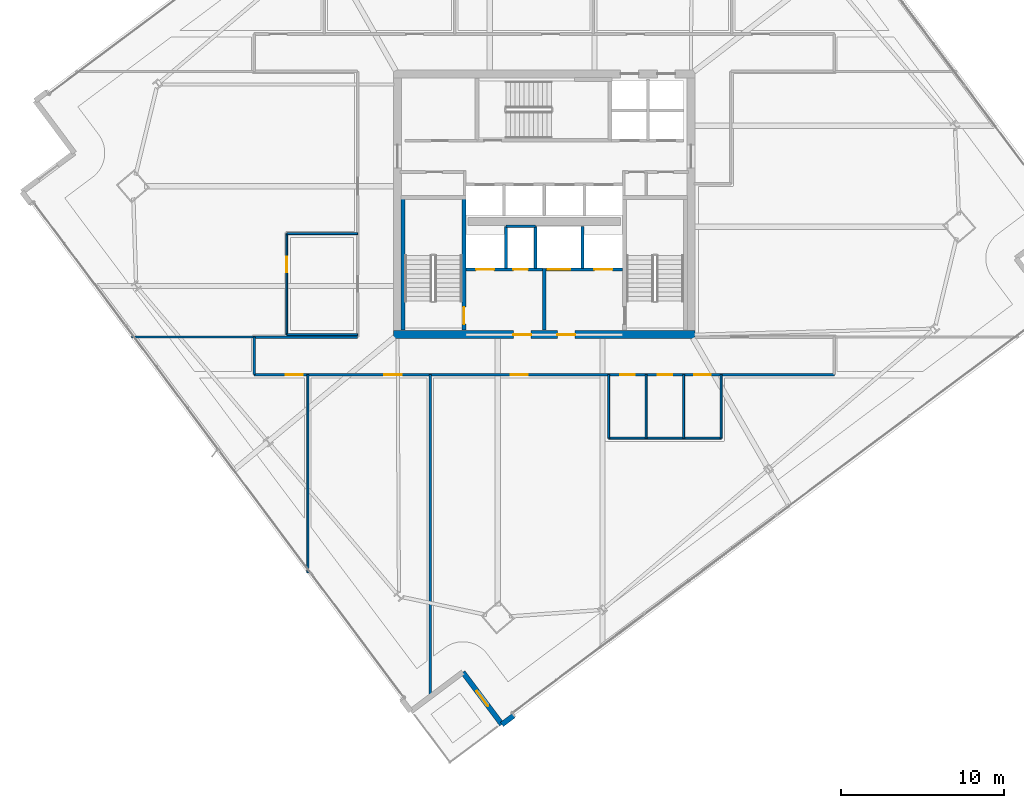
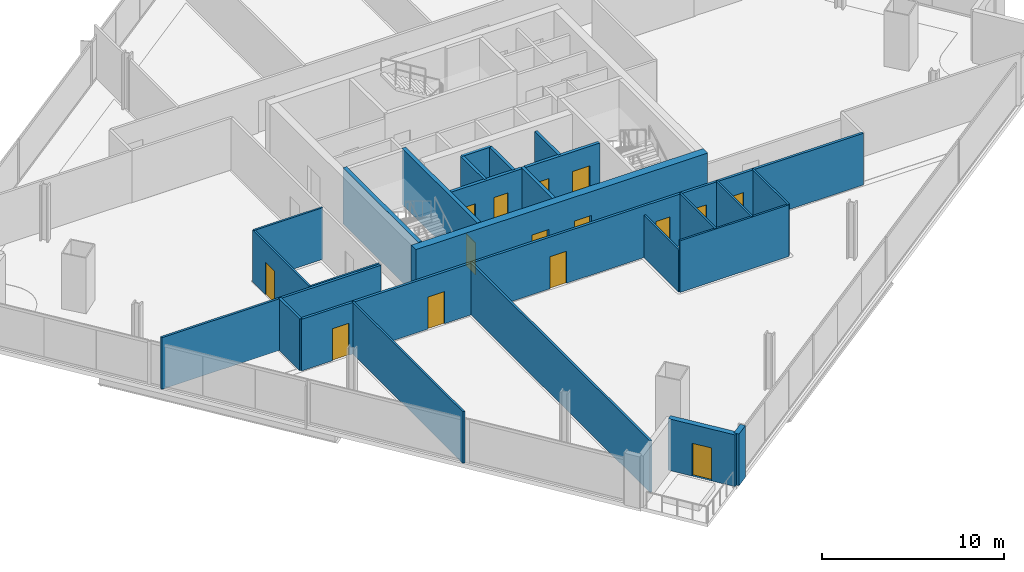
# One storey, part 24 of 32: 26 walls, 15 doors, 15 openings.
"""IFC4 building model written with IfcOpenShell, lengths in metres."""

from ifc_helpers import new_model, si_unit, direction, frame, frame_2d, origin, place, context, subcontext, project, spatial, rectangle, extrude, material, layer, layer_set, type_object, element, fill, save


model = new_model("IFC4")

# Units and contexts
model_context = context("Model", 3, precision=1e-05, world=origin(), true_north=direction((0.0, 1.0)))
body_context = subcontext(model_context, "Body", "Model", "MODEL_VIEW")
ifc_project = project(units=[si_unit("LENGTHUNIT", "METRE"), si_unit("AREAUNIT", "SQUARE_METRE"), si_unit("VOLUMEUNIT", "CUBIC_METRE"), si_unit("PLANEANGLEUNIT", "RADIAN"), si_unit("MASSUNIT", "GRAM", prefix="KILO")], contexts=[model_context])

# Site, building, storey
site_placement = place(None, origin())
site = spatial("IfcSite", under=ifc_project, at=site_placement, CompositionType="ELEMENT")
building_placement = place(site_placement, origin())
building = spatial("IfcBuilding", under=site, at=building_placement, Name="Haldenkirk Collegiate Tower", CompositionType="ELEMENT")
storey_placement = place(building_placement, frame((0.0, 0.0, 151.949951171875)))
storey = spatial("IfcBuildingStorey", under=building, at=storey_placement, Name="L37", CompositionType="ELEMENT", Elevation=151.949951171875)

# Wall, openings, doors
ifc_material_1 = material(Name="Concrete f'c 55 MPa", Category="concrete")
ifc_layer_1 = layer(ifc_material_1, 0.5)
ifc_layer_set_1 = layer_set([ifc_layer_1], Name="Concrete f'c 55 MPa")
wall_type_1 = type_object("IfcWallType", Name="WL-CORE-500", PredefinedType="SHEAR", material=ifc_layer_set_1)
wall_1_placement = place(storey_placement, frame((26.75, 18.0, 0.0), z_axis=(0.0, 0.0, 1.0), x_axis=(1.0, 0.0, 0.0)))
wall_1 = element("IfcWall", 1, at=wall_1_placement, inside=storey, type_object=wall_type_1, Name="L37 central core shear wall S", PredefinedType="SHEAR", context=body_context, shape_type="SweptSolid", body=[
    extrude(rectangle(XDim=18.5, YDim=0.5, at=frame_2d((9.25, 0.0))), origin(), (0.0, 0.0, 1.0), 3.75),
])
opening_1_placement = place(wall_1_placement, frame((7.35009765625, 0.0, 0.0)))
opening_1 = element("IfcOpeningElement", 2, at=opening_1_placement, cuts=wall_1, Name="Opening D-02", PredefinedType="OPENING", context=body_context, shape_type="SweptSolid", body=[
    extrude(rectangle(XDim=1.10009765625, YDim=2.14990234375, at=frame_2d((0.550048828125, 1.074951171875))), frame((0.0, 0.260009765625, 0.0), z_axis=(0.0, -1.0, 0.0), x_axis=(1.0, 0.0, 0.0)), (0.0, 0.0, 1.0), 0.52001953125),
])
opening_2_placement = place(wall_1_placement, frame((10.050048828125, 0.0, 0.0)))
opening_2 = element("IfcOpeningElement", 3, at=opening_2_placement, cuts=wall_1, Name="Opening D-02", PredefinedType="OPENING", context=body_context, shape_type="SweptSolid", body=[
    extrude(rectangle(XDim=1.10009765625, YDim=2.14990234375, at=frame_2d((0.550048828125, 1.074951171875))), frame((0.0, 0.260009765625, 0.0), z_axis=(0.0, -1.0, 0.0), x_axis=(1.0, 0.0, 0.0)), (0.0, 0.0, 1.0), 0.52001953125),
])
ifc_material_2 = material(Name="Galvanized fire-rated hollow steel door", Category="steel")
ifc_layer_2 = layer(ifc_material_2, 0.06005859375)
ifc_layer_set_2 = layer_set([ifc_layer_2], Name="Galvanized fire-rated hollow steel door")
door_type_1 = type_object("IfcDoorType", Name="DR-STAIR-FD90-1100", OperationType="NOTDEFINED", PredefinedType="DOOR", material=ifc_layer_set_2)
door_1_placement = place(opening_1_placement, origin())
door_1 = element("IfcDoor", 4, at=door_1_placement, inside=storey, type_object=door_type_1, Name="L37 Firefighting Lobby 1 door", OperationType="SINGLE_SWING_RIGHT", OverallHeight=2.14990234375, OverallWidth=1.10009765625, PredefinedType="DOOR", context=body_context, shape_type="SweptSolid", body=[
    extrude(rectangle(XDim=1.10009765625, YDim=2.14990234375, at=frame_2d((0.550048828125, 1.074951171875))), frame((0.0, 0.02490234375, 0.0), z_axis=(0.0, -1.0, 0.0), x_axis=(1.0, 0.0, 0.0)), (0.0, 0.0, 1.0), 0.050048828125),
])
fill(opening_1, door_1)
door_2_placement = place(opening_2_placement, origin())
door_2 = element("IfcDoor", 5, at=door_2_placement, inside=storey, type_object=door_type_1, Name="L37 Firefighting Lobby 2 door", OperationType="SINGLE_SWING_LEFT", OverallHeight=2.14990234375, OverallWidth=1.10009765625, PredefinedType="DOOR", context=body_context, shape_type="SweptSolid", body=[
    extrude(rectangle(XDim=1.10009765625, YDim=2.14990234375, at=frame_2d((0.550048828125, 1.074951171875))), frame((0.0, 0.02490234375, 0.0), z_axis=(0.0, -1.0, 0.0), x_axis=(1.0, 0.0, 0.0)), (0.0, 0.0, 1.0), 0.050048828125),
])
fill(opening_2, door_2)

# Wall
ifc_material_3 = material(Name="Precast concrete f'c 40 MPa", Category="concrete")
ifc_layer_3 = layer(ifc_material_3, 0.320068359375)
ifc_layer_set_3 = layer_set([ifc_layer_3], Name="Precast concrete f'c 40 MPa")
wall_type_2 = type_object("IfcWallType", Name="WL-EXT-TWR-320", PredefinedType="STANDARD", material=ifc_layer_set_3)
wall_2_placement = place(storey_placement, frame((34.121826171875, -5.377685546875, 0.0), z_axis=(0.0, 0.0, 1.0), x_axis=(-0.80065046454, -0.59913173312, 0.0)))
element("IfcWall", 6, at=wall_2_placement, inside=storey, type_object=wall_type_2, Name="L37 precast corner pier SR", PredefinedType="STANDARD", context=body_context, shape_type="SweptSolid", body=[
    extrude(rectangle(XDim=0.900146484375, YDim=0.320068359375, at=frame_2d((0.4501953125, 0.0))), origin(), (0.0, 0.0, 1.0), 3.4599609375),
])

# Wall, opening, door
wall_3_placement = place(storey_placement, frame((33.401123046875, -5.9169921875, 0.0), z_axis=(0.0, 0.0, 1.0), x_axis=(-0.599023050849, 0.800731780656, 0.0)))
wall_3 = element("IfcWall", 7, at=wall_3_placement, inside=storey, type_object=wall_type_2, Name="L37 bronze precast notch wall 12", PredefinedType="STANDARD", context=body_context, shape_type="SweptSolid", body=[
    extrude(rectangle(XDim=4.000244140625, YDim=0.320068359375, at=frame_2d((2.0, 0.0))), origin(), (0.0, 0.0, 1.0), 3.4599609375),
])
opening_3_placement = place(wall_3_placement, frame((1.425048828125, 0.0, 0.0)))
opening_3 = element("IfcOpeningElement", 8, at=opening_3_placement, cuts=wall_3, Name="Opening D-ST11", PredefinedType="OPENING", context=body_context, shape_type="SweptSolid", body=[
    extrude(rectangle(XDim=1.14990234375, YDim=2.199951171875, at=frame_2d((0.574951171875, 1.10009765625))), frame((0.0, 0.169921875, 0.0), z_axis=(0.0, -1.0, 0.0), x_axis=(1.0, 0.0, 0.0)), (0.0, 0.0, 1.0), 0.340087890625),
])
ifc_material_4 = material(Name="Anodised architectural bronze aluminium", Category="aluminium")
ifc_layer_4 = layer(ifc_material_4, 0.080078125)
ifc_layer_set_4 = layer_set([ifc_layer_4], Name="Anodised architectural bronze aluminium")
door_type_2 = type_object("IfcDoorType", Name="DR-EXT-STER-1150", OperationType="NOTDEFINED", PredefinedType="DOOR", material=ifc_layer_set_4)
door_3_placement = place(opening_3_placement, origin())
door_3 = element("IfcDoor", 9, at=door_3_placement, inside=storey, type_object=door_type_2, Name="L37 spiralling terrace door", OperationType="SINGLE_SWING_RIGHT", OverallHeight=2.199951171875, OverallWidth=1.14990234375, PredefinedType="DOOR", context=body_context, shape_type="SweptSolid", body=[
    extrude(rectangle(XDim=1.14990234375, YDim=2.199951171875, at=frame_2d((0.574951171875, 1.10009765625))), frame((0.0, 0.02490234375, 0.0), z_axis=(0.0, -1.0, 0.0), x_axis=(1.0, 0.0, 0.0)), (0.0, 0.0, 1.0), 0.050048828125),
])
fill(opening_3, door_3)

# Wall, openings, doors
ifc_material_5 = material(Name="Acoustic fire-rated gypsum partition", Category="concrete")
ifc_layer_5 = layer(ifc_material_5, 0.159912109375)
ifc_layer_set_5 = layer_set([ifc_layer_5], Name="Acoustic fire-rated gypsum partition")
wall_type_3 = type_object("IfcWallType", Name="WL-INT-CORR-160", PredefinedType="PARTITIONING", material=ifc_layer_set_5)
wall_4_placement = place(storey_placement, frame((18.199951171875, 15.550048828125, 0.0), z_axis=(0.0, 0.0, 1.0), x_axis=(1.0, 0.0, 0.0)))
wall_4 = element("IfcWall", 10, at=wall_4_placement, inside=storey, type_object=wall_type_3, Name="L37 interior partition IW-L37-CS", PredefinedType="PARTITIONING", context=body_context, shape_type="SweptSolid", body=[
    extrude(rectangle(XDim=35.60009765625, YDim=0.159912109375, at=frame_2d((17.800048828125, 0.0))), origin(), (0.0, 0.0, 1.0), 3.4599609375),
])
opening_4_placement = place(wall_4_placement, frame((22.449951171875, 0.0, 0.0)))
opening_4 = element("IfcOpeningElement", 11, at=opening_4_placement, cuts=wall_4, Name="Opening D-13", PredefinedType="OPENING", context=body_context, shape_type="SweptSolid", body=[
    extrude(rectangle(XDim=0.89990234375, YDim=2.14990234375, at=frame_2d((0.449951171875, 1.074951171875))), frame((0.0, 0.08984375, 0.0), z_axis=(0.0, -1.0, 0.0), x_axis=(1.0, 0.0, 0.0)), (0.0, 0.0, 1.0), 0.179931640625),
])
opening_5_placement = place(wall_4_placement, frame((24.75, 0.0, 0.0)))
opening_5 = element("IfcOpeningElement", 12, at=opening_5_placement, cuts=wall_4, Name="Opening D-13", PredefinedType="OPENING", context=body_context, shape_type="SweptSolid", body=[
    extrude(rectangle(XDim=0.89990234375, YDim=2.14990234375, at=frame_2d((0.449951171875, 1.074951171875))), frame((0.0, 0.08984375, 0.0), z_axis=(0.0, -1.0, 0.0), x_axis=(1.0, 0.0, 0.0)), (0.0, 0.0, 1.0), 0.179931640625),
])
opening_6_placement = place(wall_4_placement, frame((27.0, 0.0, 0.0)))
opening_6 = element("IfcOpeningElement", 13, at=opening_6_placement, cuts=wall_4, Name="Opening D-14", PredefinedType="OPENING", context=body_context, shape_type="SweptSolid", body=[
    extrude(rectangle(XDim=1.0, YDim=2.14990234375, at=frame_2d((0.5, 1.074951171875))), frame((0.0, 0.08984375, 0.0), z_axis=(0.0, -1.0, 0.0), x_axis=(1.0, 0.0, 0.0)), (0.0, 0.0, 1.0), 0.179931640625),
])
opening_7_placement = place(wall_4_placement, frame((1.945068359375, 0.0, 0.0)))
opening_7 = element("IfcOpeningElement", 14, at=opening_7_placement, cuts=wall_4, Name="Opening D-09", PredefinedType="OPENING", context=body_context, shape_type="SweptSolid", body=[
    extrude(rectangle(XDim=1.050048828125, YDim=2.14990234375, at=frame_2d((0.52490234375, 1.074951171875))), frame((0.0, 0.08984375, 0.0), z_axis=(0.0, -1.0, 0.0), x_axis=(1.0, 0.0, 0.0)), (0.0, 0.0, 1.0), 0.179931640625),
])
opening_8_placement = place(wall_4_placement, frame((7.9951171875, 0.0, 0.0)))
opening_8 = element("IfcOpeningElement", 15, at=opening_8_placement, cuts=wall_4, Name="Opening D-09", PredefinedType="OPENING", context=body_context, shape_type="SweptSolid", body=[
    extrude(rectangle(XDim=1.050048828125, YDim=2.14990234375, at=frame_2d((0.52490234375, 1.074951171875))), frame((0.0, 0.08984375, 0.0), z_axis=(0.0, -1.0, 0.0), x_axis=(1.0, 0.0, 0.0)), (0.0, 0.0, 1.0), 0.179931640625),
])
opening_9_placement = place(wall_4_placement, frame((15.739990234375, 0.0, 0.0)))
opening_9 = element("IfcOpeningElement", 16, at=opening_9_placement, cuts=wall_4, Name="Opening D-09", PredefinedType="OPENING", context=body_context, shape_type="SweptSolid", body=[
    extrude(rectangle(XDim=1.050048828125, YDim=2.14990234375, at=frame_2d((0.52490234375, 1.074951171875))), frame((0.0, 0.08984375, 0.0), z_axis=(0.0, -1.0, 0.0), x_axis=(1.0, 0.0, 0.0)), (0.0, 0.0, 1.0), 0.179931640625),
])
ifc_material_6 = material(Name="Solid-core architectural oak fire door", Category="wood")
ifc_layer_6 = layer(ifc_material_6, 0.06005859375)
ifc_layer_set_6 = layer_set([ifc_layer_6], Name="Solid-core architectural oak fire door")
door_type_3 = type_object("IfcDoorType", Name="DR-INT-ACC-1000", OperationType="NOTDEFINED", PredefinedType="DOOR", material=ifc_layer_set_6)
door_4_placement = place(opening_6_placement, origin())
door_4 = element("IfcDoor", 17, at=door_4_placement, inside=storey, type_object=door_type_3, Name="L37 Accessible WC door", OperationType="SINGLE_SWING_LEFT", OverallHeight=2.14990234375, OverallWidth=1.0, PredefinedType="DOOR", context=body_context, shape_type="SweptSolid", body=[
    extrude(rectangle(XDim=1.0, YDim=2.14990234375, at=frame_2d((0.5, 1.074951171875))), frame((0.0, 0.02490234375, 0.0), z_axis=(0.0, -1.0, 0.0), x_axis=(1.0, 0.0, 0.0)), (0.0, 0.0, 1.0), 0.050048828125),
])
fill(opening_6, door_4)
ifc_layer_7 = layer(ifc_material_6, 0.06005859375)
ifc_layer_set_7 = layer_set([ifc_layer_7], Name="Solid-core architectural oak fire door")
door_type_4 = type_object("IfcDoorType", Name="DR-INT-FD60-1050", OperationType="NOTDEFINED", PredefinedType="DOOR", material=ifc_layer_set_7)
door_5_placement = place(opening_7_placement, origin())
door_5 = element("IfcDoor", 18, at=door_5_placement, inside=storey, type_object=door_type_4, Name="L37 Student Wellness Clinic 1 door", OperationType="SINGLE_SWING_RIGHT", OverallHeight=2.14990234375, OverallWidth=1.050048828125, PredefinedType="DOOR", context=body_context, shape_type="SweptSolid", body=[
    extrude(rectangle(XDim=1.050048828125, YDim=2.14990234375, at=frame_2d((0.52490234375, 1.074951171875))), frame((0.0, 0.02490234375, 0.0), z_axis=(0.0, -1.0, 0.0), x_axis=(1.0, 0.0, 0.0)), (0.0, 0.0, 1.0), 0.050048828125),
])
fill(opening_7, door_5)
door_6_placement = place(opening_8_placement, origin())
door_6 = element("IfcDoor", 19, at=door_6_placement, inside=storey, type_object=door_type_4, Name="L37 Academic Counseling Clinic 2 door", OperationType="SINGLE_SWING_LEFT", OverallHeight=2.14990234375, OverallWidth=1.050048828125, PredefinedType="DOOR", context=body_context, shape_type="SweptSolid", body=[
    extrude(rectangle(XDim=1.050048828125, YDim=2.14990234375, at=frame_2d((0.52490234375, 1.074951171875))), frame((0.0, 0.02490234375, 0.0), z_axis=(0.0, -1.0, 0.0), x_axis=(1.0, 0.0, 0.0)), (0.0, 0.0, 1.0), 0.050048828125),
])
fill(opening_8, door_6)
door_7_placement = place(opening_9_placement, origin())
door_7 = element("IfcDoor", 20, at=door_7_placement, inside=storey, type_object=door_type_4, Name="L37 Health Triage Clinic 3 door", OperationType="SINGLE_SWING_RIGHT", OverallHeight=2.14990234375, OverallWidth=1.050048828125, PredefinedType="DOOR", context=body_context, shape_type="SweptSolid", body=[
    extrude(rectangle(XDim=1.050048828125, YDim=2.14990234375, at=frame_2d((0.52490234375, 1.074951171875))), frame((0.0, 0.02490234375, 0.0), z_axis=(0.0, -1.0, 0.0), x_axis=(1.0, 0.0, 0.0)), (0.0, 0.0, 1.0), 0.050048828125),
])
fill(opening_9, door_7)
ifc_layer_8 = layer(ifc_material_6, 0.06005859375)
ifc_layer_set_8 = layer_set([ifc_layer_8], Name="Solid-core architectural oak fire door")
door_type_5 = type_object("IfcDoorType", Name="DR-INT-STD-900", OperationType="NOTDEFINED", PredefinedType="DOOR", material=ifc_layer_set_8)
door_8_placement = place(opening_4_placement, origin())
door_8 = element("IfcDoor", 21, at=door_8_placement, inside=storey, type_object=door_type_5, Name="L37 Male WC door", OperationType="SINGLE_SWING_LEFT", OverallHeight=2.14990234375, OverallWidth=0.89990234375, PredefinedType="DOOR", context=body_context, shape_type="SweptSolid", body=[
    extrude(rectangle(XDim=0.89990234375, YDim=2.14990234375, at=frame_2d((0.449951171875, 1.074951171875))), frame((0.0, 0.02490234375, 0.0), z_axis=(0.0, -1.0, 0.0), x_axis=(1.0, 0.0, 0.0)), (0.0, 0.0, 1.0), 0.050048828125),
])
fill(opening_4, door_8)
door_9_placement = place(opening_5_placement, origin())
door_9 = element("IfcDoor", 22, at=door_9_placement, inside=storey, type_object=door_type_5, Name="L37 Female WC door", OperationType="SINGLE_SWING_RIGHT", OverallHeight=2.14990234375, OverallWidth=0.89990234375, PredefinedType="DOOR", context=body_context, shape_type="SweptSolid", body=[
    extrude(rectangle(XDim=0.89990234375, YDim=2.14990234375, at=frame_2d((0.449951171875, 1.074951171875))), frame((0.0, 0.02490234375, 0.0), z_axis=(0.0, -1.0, 0.0), x_axis=(1.0, 0.0, 0.0)), (0.0, 0.0, 1.0), 0.050048828125),
])
fill(opening_5, door_9)

# Walls
wall_5_placement = place(storey_placement, frame((18.199951171875, 17.85009765625, 0.0), z_axis=(0.0, 0.0, 1.0), x_axis=(1.0, 0.0, 0.0)))
element("IfcWall", 23, at=wall_5_placement, inside=storey, type_object=wall_type_3, Name="L37 interior partition IW-L37-CSW", PredefinedType="PARTITIONING", context=body_context, shape_type="SweptSolid", body=[
    extrude(rectangle(XDim=6.35009765625, YDim=0.159912109375, at=frame_2d((3.175048828125, 0.0))), origin(), (0.0, 0.0, 1.0), 3.4599609375),
])
wall_6_placement = place(storey_placement, frame((18.199951171875, 15.550048828125, 0.0), z_axis=(0.0, 0.0, 1.0), x_axis=(0.0, 1.0, 0.0)))
element("IfcWall", 24, at=wall_6_placement, inside=storey, type_object=wall_type_3, Name="L37 interior partition IW-L37-CSL", PredefinedType="PARTITIONING", context=body_context, shape_type="SweptSolid", body=[
    extrude(rectangle(XDim=2.300048828125, YDim=0.159912109375, at=frame_2d((1.14990234375, 0.0))), origin(), (0.0, 0.0, 1.0), 3.4599609375),
])
ifc_layer_9 = layer(ifc_material_5, 0.139892578125)
ifc_layer_set_9 = layer_set([ifc_layer_9], Name="Acoustic fire-rated gypsum partition")
wall_type_4 = type_object("IfcWallType", Name="WL-INT-DIV-140", PredefinedType="PARTITIONING", material=ifc_layer_set_9)
wall_7_placement = place(storey_placement, frame((10.67578125, 17.85009765625, 0.0), z_axis=(0.0, 0.0, 1.0), x_axis=(1.0, 0.0, 0.0)))
element("IfcWall", 25, at=wall_7_placement, inside=storey, type_object=wall_type_4, Name="L37 interior partition IW-L37-BWS", PredefinedType="PARTITIONING", context=body_context, shape_type="SweptSolid", body=[
    extrude(rectangle(XDim=7.524169921875, YDim=0.139892578125, at=frame_2d((3.76220703125, 0.0))), origin(), (0.0, 0.0, 1.0), 3.4599609375),
])
wall_8_placement = place(storey_placement, frame((29.0, -4.163818359375, 0.0), z_axis=(0.0, 0.0, 1.0), x_axis=(0.0, 1.0, 0.0)))
element("IfcWall", 26, at=wall_8_placement, inside=storey, type_object=wall_type_4, Name="L37 interior partition IW-L37-RS2", PredefinedType="PARTITIONING", context=body_context, shape_type="SweptSolid", body=[
    extrude(rectangle(XDim=19.7138671875, YDim=0.139892578125, at=frame_2d((9.85693359375, 0.0))), origin(), (0.0, 0.0, 1.0), 3.4599609375),
])
ifc_material_7 = material(Name="Fire-rated gypsum shaftboard assembly", Category="concrete")
ifc_layer_10 = layer(ifc_material_7, 0.179931640625)
ifc_layer_set_10 = layer_set([ifc_layer_10], Name="Fire-rated gypsum shaftboard assembly")
wall_type_5 = type_object("IfcWallType", Name="WL-INT-SHAFT-180", PredefinedType="PARTITIONING", material=ifc_layer_set_10)
for number, where, z_axis, x_axis, name in (
    (27, (33.64990234375, 22.050048828125, 0.0), (0.0, 0.0, 1.0), (0.0, 1.0, 0.0), "L37 interior partition IW-L37-FL1E"),
    (28, (35.449951171875, 22.050048828125, 0.0), (0.0, 0.0, 1.0), (0.0, 1.0, 0.0), "L37 interior partition IW-L37-GL1W"),
):
    element("IfcWall", number, at=place(storey_placement, frame(where, z_axis=z_axis, x_axis=x_axis)), inside=storey, type_object=wall_type_5, Name=name, PredefinedType="PARTITIONING", context=body_context, shape_type="SweptSolid", body=[
        extrude(rectangle(XDim=2.599853515625, YDim=0.179931640625, at=frame_2d((1.2998046875, 0.0))), origin(), (0.0, 0.0, 1.0), 3.4599609375),
    ])
wall_9_placement = place(storey_placement, frame((33.64990234375, 24.64990234375, 0.0), z_axis=(0.0, 0.0, 1.0), x_axis=(1.0, 0.0, 0.0)))
element("IfcWall", 29, at=wall_9_placement, inside=storey, type_object=wall_type_5, Name="L37 interior partition IW-L37-RSRN", PredefinedType="PARTITIONING", context=body_context, shape_type="SweptSolid", body=[
    extrude(rectangle(XDim=1.800048828125, YDim=0.179931640625, at=frame_2d((0.89990234375, 0.0))), origin(), (0.0, 0.0, 1.0), 3.4599609375),
])
wall_10_placement = place(storey_placement, frame((38.35009765625, 22.050048828125, 0.0), z_axis=(0.0, 0.0, 1.0), x_axis=(0.0, 1.0, 0.0)))
element("IfcWall", 30, at=wall_10_placement, inside=storey, type_object=wall_type_5, Name="L37 interior partition IW-L37-GL1E", PredefinedType="PARTITIONING", context=body_context, shape_type="SweptSolid", body=[
    extrude(rectangle(XDim=2.599853515625, YDim=0.179931640625, at=frame_2d((1.2998046875, 0.0))), origin(), (0.0, 0.0, 1.0), 3.4599609375),
])
ifc_layer_11 = layer(ifc_material_7, 0.199951171875)
ifc_layer_set_11 = layer_set([ifc_layer_11], Name="Fire-rated gypsum shaftboard assembly")
wall_type_6 = type_object("IfcWallType", Name="WL-INT-SHAFT-200", PredefinedType="PARTITIONING", material=ifc_layer_set_11)
wall_11_placement = place(storey_placement, frame((36.0, 18.280029296875, 0.0), z_axis=(0.0, 0.0, 1.0), x_axis=(0.0, 1.0, 0.0)))
element("IfcWall", 31, at=wall_11_placement, inside=storey, type_object=wall_type_6, Name="L37 interior partition IW-L37-FFLM", PredefinedType="PARTITIONING", context=body_context, shape_type="SweptSolid", body=[
    extrude(rectangle(XDim=3.77001953125, YDim=0.199951171875, at=frame_2d((1.885009765625, 0.0))), origin(), (0.0, 0.0, 1.0), 3.4599609375),
])

# Wall, openings, doors
wall_12_placement = place(storey_placement, frame((31.18994140625, 22.0, 0.0), z_axis=(0.0, 0.0, 1.0), x_axis=(1.0, 0.0, 0.0)))
wall_12 = element("IfcWall", 32, at=wall_12_placement, inside=storey, type_object=wall_type_6, Name="L37 interior partition IW-L37-FFL1N", PredefinedType="PARTITIONING", context=body_context, shape_type="SweptSolid", body=[
    extrude(rectangle(XDim=4.68994140625, YDim=0.199951171875, at=frame_2d((2.344970703125, 0.0))), origin(), (0.0, 0.0, 1.0), 3.4599609375),
])
opening_10_placement = place(wall_12_placement, frame((2.909912109375, 0.0, 0.0)))
opening_10 = element("IfcOpeningElement", 33, at=opening_10_placement, cuts=wall_12, Name="Opening D-06", PredefinedType="OPENING", context=body_context, shape_type="SweptSolid", body=[
    extrude(rectangle(XDim=0.89990234375, YDim=2.14990234375, at=frame_2d((0.449951171875, 1.074951171875))), frame((0.0, 0.10986328125, 0.0), z_axis=(0.0, -1.0, 0.0), x_axis=(1.0, 0.0, 0.0)), (0.0, 0.0, 1.0), 0.219970703125),
])
opening_11_placement = place(wall_12_placement, frame((0.635009765625, 0.0, 0.0)))
opening_11 = element("IfcOpeningElement", 34, at=opening_11_placement, cuts=wall_12, Name="Opening LD-12", PredefinedType="OPENING", context=body_context, shape_type="SweptSolid", body=[
    extrude(rectangle(XDim=1.10009765625, YDim=2.14990234375, at=frame_2d((0.550048828125, 1.074951171875))), frame((0.0, 0.10986328125, 0.0), z_axis=(0.0, -1.0, 0.0), x_axis=(1.0, 0.0, 0.0)), (0.0, 0.0, 1.0), 0.219970703125),
])
ifc_layer_12 = layer(ifc_material_2, 0.06005859375)
ifc_layer_set_12 = layer_set([ifc_layer_12], Name="Galvanized fire-rated hollow steel door")
door_type_6 = type_object("IfcDoorType", Name="DR-INT-FD90-900", OperationType="NOTDEFINED", PredefinedType="DOOR", material=ifc_layer_set_12)
door_10_placement = place(opening_10_placement, origin())
door_10 = element("IfcDoor", 35, at=door_10_placement, inside=storey, type_object=door_type_6, Name="L37 electrical riser door", OperationType="SINGLE_SWING_RIGHT", OverallHeight=2.14990234375, OverallWidth=0.89990234375, PredefinedType="DOOR", context=body_context, shape_type="SweptSolid", body=[
    extrude(rectangle(XDim=0.89990234375, YDim=2.14990234375, at=frame_2d((0.449951171875, 1.074951171875))), frame((0.0, 0.02490234375, 0.0), z_axis=(0.0, -1.0, 0.0), x_axis=(1.0, 0.0, 0.0)), (0.0, 0.0, 1.0), 0.050048828125),
])
fill(opening_10, door_10)
ifc_material_8 = material(Name="Brushed architectural stainless steel", Category="steel")
ifc_layer_13 = layer(ifc_material_8, 0.06005859375)
ifc_layer_set_13 = layer_set([ifc_layer_13], Name="Brushed architectural stainless steel")
door_type_7 = type_object("IfcDoorType", Name="LD-FIRE-1100", OperationType="NOTDEFINED", PredefinedType="DOOR", material=ifc_layer_set_13)
door_11_placement = place(opening_11_placement, origin())
door_11 = element("IfcDoor", 36, at=door_11_placement, inside=storey, type_object=door_type_7, Name="L37 Elevator FL1 sliding landing door", OperationType="SLIDING_TO_LEFT", OverallHeight=2.14990234375, OverallWidth=1.10009765625, PredefinedType="DOOR", context=body_context, shape_type="SweptSolid", body=[
    extrude(rectangle(XDim=1.10009765625, YDim=2.14990234375, at=frame_2d((0.550048828125, 1.074951171875))), frame((0.0, 0.02490234375, 0.0), z_axis=(0.0, -1.0, 0.0), x_axis=(1.0, 0.0, 0.0)), (0.0, 0.0, 1.0), 0.050048828125),
])
fill(opening_11, door_11)

wall_13_placement = place(storey_placement, frame((36.1201171875, 22.0, 0.0), z_axis=(0.0, 0.0, 1.0), x_axis=(1.0, 0.0, 0.0)))
wall_13 = element("IfcWall", 37, at=wall_13_placement, inside=storey, type_object=wall_type_6, Name="L37 interior partition IW-L37-FFL2N", PredefinedType="PARTITIONING", context=body_context, shape_type="SweptSolid", body=[
    extrude(rectangle(XDim=4.68994140625, YDim=0.199951171875, at=frame_2d((2.344970703125, 0.0))), origin(), (0.0, 0.0, 1.0), 3.4599609375),
])
opening_12_placement = place(wall_13_placement, frame((2.955078125, 0.0, 0.0)))
opening_12 = element("IfcOpeningElement", 38, at=opening_12_placement, cuts=wall_13, Name="Opening LD-12", PredefinedType="OPENING", context=body_context, shape_type="SweptSolid", body=[
    extrude(rectangle(XDim=1.10009765625, YDim=2.14990234375, at=frame_2d((0.550048828125, 1.074951171875))), frame((0.0, 0.10986328125, 0.0), z_axis=(0.0, -1.0, 0.0), x_axis=(1.0, 0.0, 0.0)), (0.0, 0.0, 1.0), 0.219970703125),
])
opening_13_placement = place(wall_13_placement, frame((0.080078125, 0.0, 0.0)))
opening_13 = element("IfcOpeningElement", 39, at=opening_13_placement, cuts=wall_13, Name="Opening LD-13", PredefinedType="OPENING", context=body_context, shape_type="SweptSolid", body=[
    extrude(rectangle(XDim=1.39990234375, YDim=2.199951171875, at=frame_2d((0.699951171875, 1.10009765625))), frame((0.0, 0.10986328125, 0.0), z_axis=(0.0, -1.0, 0.0), x_axis=(1.0, 0.0, 0.0)), (0.0, 0.0, 1.0), 0.219970703125),
])
door_12_placement = place(opening_12_placement, origin())
door_12 = element("IfcDoor", 40, at=door_12_placement, inside=storey, type_object=door_type_7, Name="L37 Elevator FL2 sliding landing door", OperationType="SLIDING_TO_LEFT", OverallHeight=2.14990234375, OverallWidth=1.10009765625, PredefinedType="DOOR", context=body_context, shape_type="SweptSolid", body=[
    extrude(rectangle(XDim=1.10009765625, YDim=2.14990234375, at=frame_2d((0.550048828125, 1.074951171875))), frame((0.0, 0.02490234375, 0.0), z_axis=(0.0, -1.0, 0.0), x_axis=(1.0, 0.0, 0.0)), (0.0, 0.0, 1.0), 0.050048828125),
])
fill(opening_12, door_12)
ifc_layer_14 = layer(ifc_material_8, 0.06005859375)
ifc_layer_set_14 = layer_set([ifc_layer_14], Name="Brushed architectural stainless steel")
door_type_8 = type_object("IfcDoorType", Name="LD-GOODS-1400", OperationType="NOTDEFINED", PredefinedType="DOOR", material=ifc_layer_set_14)
door_13_placement = place(opening_13_placement, origin())
door_13 = element("IfcDoor", 41, at=door_13_placement, inside=storey, type_object=door_type_8, Name="L37 Elevator GL1 sliding landing door", OperationType="SLIDING_TO_LEFT", OverallHeight=2.199951171875, OverallWidth=1.39990234375, PredefinedType="DOOR", context=body_context, shape_type="SweptSolid", body=[
    extrude(rectangle(XDim=1.39990234375, YDim=2.199951171875, at=frame_2d((0.699951171875, 1.10009765625))), frame((0.0, 0.02490234375, 0.0), z_axis=(0.0, -1.0, 0.0), x_axis=(1.0, 0.0, 0.0)), (0.0, 0.0, 1.0), 0.050048828125),
])
fill(opening_13, door_13)

# Walls
ifc_layer_15 = layer(ifc_material_5, 0.1201171875)
ifc_layer_set_15 = layer_set([ifc_layer_15], Name="Acoustic fire-rated gypsum partition")
wall_type_7 = type_object("IfcWallType", Name="WL-INT-WET-120", PredefinedType="PARTITIONING", material=ifc_layer_set_15)
wall_14_placement = place(storey_placement, frame((39.949951171875, 11.64990234375, 0.0), z_axis=(0.0, 0.0, 1.0), x_axis=(0.0, 1.0, 0.0)))
element("IfcWall", 42, at=wall_14_placement, inside=storey, type_object=wall_type_7, Name="L37 interior partition IW-L37-WCW", PredefinedType="PARTITIONING", context=body_context, shape_type="SweptSolid", body=[
    extrude(rectangle(XDim=3.900146484375, YDim=0.1201171875, at=frame_2d((1.9501953125, 0.0))), origin(), (0.0, 0.0, 1.0), 2.839111328125),
])
for number, where, z_axis, x_axis, name in (
    (43, (42.25, 11.64990234375, 0.0), (0.0, 0.0, 1.0), (0.0, 1.0, 0.0), "L37 interior partition IW-L37-WC1"),
    (44, (44.550048828125, 11.64990234375, 0.0), (0.0, 0.0, 1.0), (0.0, 1.0, 0.0), "L37 interior partition IW-L37-WC2"),
    (45, (46.85009765625, 11.64990234375, 0.0), (0.0, 0.0, 1.0), (0.0, 1.0, 0.0), "L37 interior partition IW-L37-WCE"),
):
    element("IfcWall", number, at=place(storey_placement, frame(where, z_axis=z_axis, x_axis=x_axis)), inside=storey, type_object=wall_type_7, Name=name, PredefinedType="PARTITIONING", context=body_context, shape_type="SweptSolid", body=[
        extrude(rectangle(XDim=3.900146484375, YDim=0.1201171875, at=frame_2d((1.9501953125, 0.0))), origin(), (0.0, 0.0, 1.0), 3.4599609375),
    ])
wall_15_placement = place(storey_placement, frame((39.949951171875, 11.64990234375, 0.0), z_axis=(0.0, 0.0, 1.0), x_axis=(1.0, 0.0, 0.0)))
element("IfcWall", 46, at=wall_15_placement, inside=storey, type_object=wall_type_7, Name="L37 interior partition IW-L37-WCB", PredefinedType="PARTITIONING", context=body_context, shape_type="SweptSolid", body=[
    extrude(rectangle(XDim=6.900146484375, YDim=0.1201171875, at=frame_2d((3.4501953125, 0.0))), origin(), (0.0, 0.0, 1.0), 3.4599609375),
])
wall_16_placement = place(storey_placement, frame((21.5, 3.380859375, 0.0), z_axis=(0.0, 0.0, 1.0), x_axis=(0.0, 1.0, 0.0)))
element("IfcWall", 47, at=wall_16_placement, inside=storey, type_object=wall_type_7, Name="L37 interior partition IW-L37-RS1", PredefinedType="PARTITIONING", context=body_context, shape_type="SweptSolid", body=[
    extrude(rectangle(XDim=12.169189453125, YDim=0.1201171875, at=frame_2d((6.08447265625, 0.0))), origin(), (0.0, 0.0, 1.0), 3.4599609375),
])
wall_17_placement = place(storey_placement, frame((20.199951171875, 18.0, 0.0), z_axis=(0.0, 0.0, 1.0), x_axis=(1.0, 0.0, 0.0)))
element("IfcWall", 48, at=wall_17_placement, inside=storey, type_object=wall_type_7, Name="L37 interior partition IW-L37-SUBWS", PredefinedType="PARTITIONING", context=body_context, shape_type="SweptSolid", body=[
    extrude(rectangle(XDim=4.35009765625, YDim=0.1201171875, at=frame_2d((2.175048828125, 0.0))), origin(), (0.0, 0.0, 1.0), 3.4599609375),
])

# Wall, opening, door
wall_18_placement = place(storey_placement, frame((20.199951171875, 18.0, 0.0), z_axis=(0.0, 0.0, 1.0), x_axis=(0.0, 1.0, 0.0)))
wall_18 = element("IfcWall", 49, at=wall_18_placement, inside=storey, type_object=wall_type_7, Name="L37 interior partition IW-L37-SUBW", PredefinedType="PARTITIONING", context=body_context, shape_type="SweptSolid", body=[
    extrude(rectangle(XDim=6.199951171875, YDim=0.1201171875, at=frame_2d((3.10009765625, 0.0))), origin(), (0.0, 0.0, 1.0), 3.4599609375),
])
opening_14_placement = place(wall_18_placement, frame((3.824951171875, 0.0, 0.0)))
opening_14 = element("IfcOpeningElement", 50, at=opening_14_placement, cuts=wall_18, Name="Opening D-12", PredefinedType="OPENING", context=body_context, shape_type="SweptSolid", body=[
    extrude(rectangle(XDim=0.949951171875, YDim=2.14990234375, at=frame_2d((0.47509765625, 1.074951171875))), frame((0.0, 0.070068359375, 0.0), z_axis=(0.0, -1.0, 0.0), x_axis=(1.0, 0.0, 0.0)), (0.0, 0.0, 1.0), 0.14013671875),
])
ifc_layer_16 = layer(ifc_material_6, 0.06005859375)
ifc_layer_set_16 = layer_set([ifc_layer_16], Name="Solid-core architectural oak fire door")
door_type_9 = type_object("IfcDoorType", Name="DR-INT-STD-950", OperationType="NOTDEFINED", PredefinedType="DOOR", material=ifc_layer_set_16)
door_14_placement = place(opening_14_placement, origin())
door_14 = element("IfcDoor", 51, at=door_14_placement, inside=storey, type_object=door_type_9, Name="L37 West Faculty Tutorial Pod suite door", OperationType="SINGLE_SWING_LEFT", OverallHeight=2.14990234375, OverallWidth=0.949951171875, PredefinedType="DOOR", context=body_context, shape_type="SweptSolid", body=[
    extrude(rectangle(XDim=0.949951171875, YDim=2.14990234375, at=frame_2d((0.47509765625, 1.074951171875))), frame((0.0, 0.02490234375, 0.0), z_axis=(0.0, -1.0, 0.0), x_axis=(1.0, 0.0, 0.0)), (0.0, 0.0, 1.0), 0.050048828125),
])
fill(opening_14, door_14)

# Wall
wall_19_placement = place(storey_placement, frame((20.199951171875, 24.199951171875, 0.0), z_axis=(0.0, 0.0, 1.0), x_axis=(1.0, 0.0, 0.0)))
element("IfcWall", 52, at=wall_19_placement, inside=storey, type_object=wall_type_7, Name="L37 interior partition IW-L37-SUBWN", PredefinedType="PARTITIONING", context=body_context, shape_type="SweptSolid", body=[
    extrude(rectangle(XDim=4.35009765625, YDim=0.1201171875, at=frame_2d((2.175048828125, 0.0))), origin(), (0.0, 0.0, 1.0), 3.4599609375),
])

# Wall, opening, door
ifc_layer_17 = layer(ifc_material_1, 0.239990234375)
ifc_layer_set_17 = layer_set([ifc_layer_17], Name="Concrete f'c 55 MPa")
wall_type_8 = type_object("IfcWallType", Name="WL-SHAFT-240", PredefinedType="SHEAR", material=ifc_layer_set_17)
wall_20_placement = place(storey_placement, frame((31.070068359375, 18.280029296875, 0.0), z_axis=(0.0, 0.0, 1.0), x_axis=(0.0, 1.0, 0.0)))
wall_20 = element("IfcWall", 53, at=wall_20_placement, inside=storey, type_object=wall_type_8, Name="L37 stair shaft shear wall SW-L37-ST1E", PredefinedType="SHEAR", context=body_context, shape_type="SweptSolid", body=[
    extrude(rectangle(XDim=8.260009765625, YDim=0.239990234375, at=frame_2d((4.1298828125, 0.0))), origin(), (0.0, 0.0, 1.0), 3.75),
])
opening_15_placement = place(wall_20_placement, frame((0.364990234375, 0.0, 0.0)))
opening_15 = element("IfcOpeningElement", 54, at=opening_15_placement, cuts=wall_20, Name="Opening D-01", PredefinedType="OPENING", context=body_context, shape_type="SweptSolid", body=[
    extrude(rectangle(XDim=1.050048828125, YDim=2.14990234375, at=frame_2d((0.52490234375, 1.074951171875))), frame((0.0, 0.1298828125, 0.0), z_axis=(0.0, -1.0, 0.0), x_axis=(1.0, 0.0, 0.0)), (0.0, 0.0, 1.0), 0.260009765625),
])
ifc_layer_18 = layer(ifc_material_2, 0.06005859375)
ifc_layer_set_18 = layer_set([ifc_layer_18], Name="Galvanized fire-rated hollow steel door")
door_type_10 = type_object("IfcDoorType", Name="DR-STAIR-FD90-1050", OperationType="NOTDEFINED", PredefinedType="DOOR", material=ifc_layer_set_18)
door_15_placement = place(opening_15_placement, origin())
door_15 = element("IfcDoor", 55, at=door_15_placement, inside=storey, type_object=door_type_10, Name="L37 Stair 1 door", OperationType="SINGLE_SWING_LEFT", OverallHeight=2.14990234375, OverallWidth=1.050048828125, PredefinedType="DOOR", context=body_context, shape_type="SweptSolid", body=[
    extrude(rectangle(XDim=1.050048828125, YDim=2.14990234375, at=frame_2d((0.52490234375, 1.074951171875))), frame((0.0, 0.02490234375, 0.0), z_axis=(0.0, -1.0, 0.0), x_axis=(1.0, 0.0, 0.0)), (0.0, 0.0, 1.0), 0.050048828125),
])
fill(opening_15, door_15)

# Wall
wall_21_placement = place(storey_placement, frame((27.330078125, 18.280029296875, 0.0), z_axis=(0.0, 0.0, 1.0), x_axis=(0.0, 1.0, 0.0)))
element("IfcWall", 56, at=wall_21_placement, inside=storey, type_object=wall_type_8, Name="L37 stair shaft shear wall SW-L37-ST1W", PredefinedType="SHEAR", context=body_context, shape_type="SweptSolid", body=[
    extrude(rectangle(XDim=8.260009765625, YDim=0.239990234375, at=frame_2d((4.1298828125, 0.0))), origin(), (0.0, 0.0, 1.0), 3.75),
])

save(model, "model.ifc")
